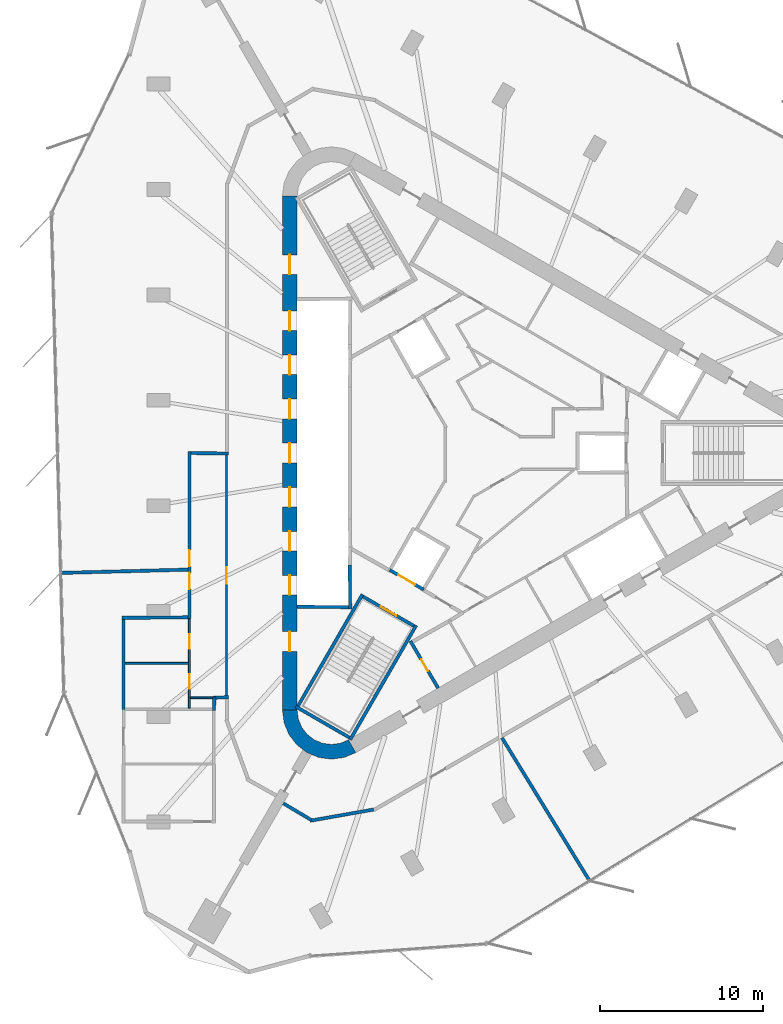
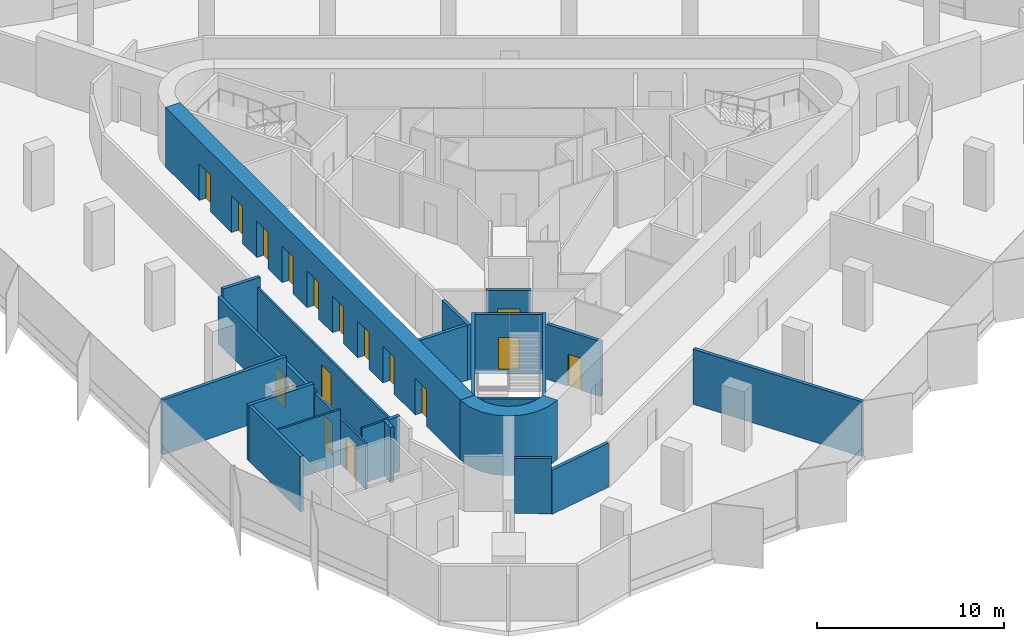
# One storey, part 7 of 12: 24 walls, 17 doors, 17 openings.
"""IFC4 building model written with IfcOpenShell, lengths in metres."""

from ifc_helpers import new_model, si_unit, direction, frame, frame_2d, origin, place, context, subcontext, project, spatial, polyline, rectangle, outline, extrude, material, layer, layer_set, type_object, element, fill, save


model = new_model("IFC4")

# Units and contexts
model_context = context("Model", 3, precision=1e-05, world=origin(), true_north=direction((0.0, 1.0)))
body_context = subcontext(model_context, "Body", "Model", "MODEL_VIEW")
ifc_project = project(units=[si_unit("LENGTHUNIT", "METRE"), si_unit("AREAUNIT", "SQUARE_METRE"), si_unit("VOLUMEUNIT", "CUBIC_METRE"), si_unit("PLANEANGLEUNIT", "RADIAN"), si_unit("MASSUNIT", "GRAM", prefix="KILO")], contexts=[model_context])

# Site, building, storey
site_placement = place(None, origin())
site = spatial("IfcSite", under=ifc_project, at=site_placement, CompositionType="ELEMENT")
building_placement = place(site_placement, origin())
building = spatial("IfcBuilding", under=site, at=building_placement, Name="Tanit Gate Tower", CompositionType="ELEMENT")
storey_placement = place(building_placement, frame((0.0, 0.0, 345.5)))
storey = spatial("IfcBuildingStorey", under=building, at=storey_placement, Name="L78", CompositionType="ELEMENT", Elevation=345.5)

# Wall, openings, doors
ifc_material_1 = material(Name="Concrete C40/50", Category="concrete")
ifc_layer_1 = layer(ifc_material_1, 0.89990234375)
ifc_layer_set_1 = layer_set([ifc_layer_1], Name="CORE WALL 900 C40/50")
wall_type_1 = type_object("IfcWallType", Name="CORE WALL 900 C40/50", PredefinedType="SHEAR", material=ifc_layer_set_1)
wall_1_placement = place(storey_placement, frame((-11.64990234375, 15.76171875, 0.0), z_axis=(0.0, 0.0, 1.0), x_axis=(0.0, -1.0, 0.0)))
wall_1 = element("IfcWall", 1, at=wall_1_placement, inside=storey, type_object=wall_type_1, Name="CORE WALL", PredefinedType="SHEAR", context=body_context, shape_type="SweptSolid", body=[
    extrude(rectangle(XDim=31.5234375, YDim=0.89990234375, at=frame_2d((15.76171875, 0.0))), origin(), (0.0, 0.0, 1.0), 3.89990234375),
])
opening_1_placement = place(wall_1_placement, frame((7.061767578125, 0.0, 0.0)))
opening_1 = element("IfcOpeningElement", 2, at=opening_1_placement, cuts=wall_1, Name="Opening LDHL1-S22", PredefinedType="OPENING", context=body_context, shape_type="SweptSolid", body=[
    extrude(rectangle(XDim=1.199951171875, YDim=2.39990234375, at=frame_2d((0.60009765625, 1.199951171875))), frame((0.0, 0.4599609375, 0.0), z_axis=(0.0, -1.0, 0.0), x_axis=(1.0, 0.0, 0.0)), (0.0, 0.0, 1.0), 0.919921875),
])
opening_2_placement = place(wall_1_placement, frame((9.76171875, 0.0, 0.0)))
opening_2 = element("IfcOpeningElement", 3, at=opening_2_placement, cuts=wall_1, Name="Opening LDHL2-S22", PredefinedType="OPENING", context=body_context, shape_type="SweptSolid", body=[
    extrude(rectangle(XDim=1.199951171875, YDim=2.39990234375, at=frame_2d((0.60009765625, 1.199951171875))), frame((0.0, 0.4599609375, 0.0), z_axis=(0.0, -1.0, 0.0), x_axis=(1.0, 0.0, 0.0)), (0.0, 0.0, 1.0), 0.919921875),
])
opening_3_placement = place(wall_1_placement, frame((12.461669921875, 0.0, 0.0)))
opening_3 = element("IfcOpeningElement", 4, at=opening_3_placement, cuts=wall_1, Name="Opening LDHL3-S22", PredefinedType="OPENING", context=body_context, shape_type="SweptSolid", body=[
    extrude(rectangle(XDim=1.199951171875, YDim=2.39990234375, at=frame_2d((0.60009765625, 1.199951171875))), frame((0.0, 0.4599609375, 0.0), z_axis=(0.0, -1.0, 0.0), x_axis=(1.0, 0.0, 0.0)), (0.0, 0.0, 1.0), 0.919921875),
])
opening_4_placement = place(wall_1_placement, frame((15.16162109375, 0.0, 0.0)))
opening_4 = element("IfcOpeningElement", 5, at=opening_4_placement, cuts=wall_1, Name="Opening LDHL4-S22", PredefinedType="OPENING", context=body_context, shape_type="SweptSolid", body=[
    extrude(rectangle(XDim=1.199951171875, YDim=2.39990234375, at=frame_2d((0.60009765625, 1.199951171875))), frame((0.0, 0.4599609375, 0.0), z_axis=(0.0, -1.0, 0.0), x_axis=(1.0, 0.0, 0.0)), (0.0, 0.0, 1.0), 0.919921875),
])
opening_5_placement = place(wall_1_placement, frame((17.86181640625, 0.0, 0.0)))
opening_5 = element("IfcOpeningElement", 6, at=opening_5_placement, cuts=wall_1, Name="Opening LDHL5-S22", PredefinedType="OPENING", context=body_context, shape_type="SweptSolid", body=[
    extrude(rectangle(XDim=1.199951171875, YDim=2.39990234375, at=frame_2d((0.60009765625, 1.199951171875))), frame((0.0, 0.4599609375, 0.0), z_axis=(0.0, -1.0, 0.0), x_axis=(1.0, 0.0, 0.0)), (0.0, 0.0, 1.0), 0.919921875),
])
opening_6_placement = place(wall_1_placement, frame((20.561767578125, 0.0, 0.0)))
opening_6 = element("IfcOpeningElement", 7, at=opening_6_placement, cuts=wall_1, Name="Opening LDHL6-S22", PredefinedType="OPENING", context=body_context, shape_type="SweptSolid", body=[
    extrude(rectangle(XDim=1.199951171875, YDim=2.39990234375, at=frame_2d((0.60009765625, 1.199951171875))), frame((0.0, 0.4599609375, 0.0), z_axis=(0.0, -1.0, 0.0), x_axis=(1.0, 0.0, 0.0)), (0.0, 0.0, 1.0), 0.919921875),
])
opening_7_placement = place(wall_1_placement, frame((23.26171875, 0.0, 0.0)))
opening_7 = element("IfcOpeningElement", 8, at=opening_7_placement, cuts=wall_1, Name="Opening LDHL7-S22", PredefinedType="OPENING", context=body_context, shape_type="SweptSolid", body=[
    extrude(rectangle(XDim=1.199951171875, YDim=2.39990234375, at=frame_2d((0.60009765625, 1.199951171875))), frame((0.0, 0.4599609375, 0.0), z_axis=(0.0, -1.0, 0.0), x_axis=(1.0, 0.0, 0.0)), (0.0, 0.0, 1.0), 0.919921875),
])
opening_8_placement = place(wall_1_placement, frame((3.61181640625, 0.0, 0.0)))
opening_8 = element("IfcOpeningElement", 9, at=opening_8_placement, cuts=wall_1, Name="Opening F12-S22-FL2", PredefinedType="OPENING", context=body_context, shape_type="SweptSolid", body=[
    extrude(rectangle(XDim=1.199951171875, YDim=2.39990234375, at=frame_2d((0.60009765625, 1.199951171875))), frame((0.0, 0.4599609375, 0.0), z_axis=(0.0, -1.0, 0.0), x_axis=(1.0, 0.0, 0.0)), (0.0, 0.0, 1.0), 0.919921875),
])
opening_9_placement = place(wall_1_placement, frame((26.711669921875, 0.0, 0.0)))
opening_9 = element("IfcOpeningElement", 10, at=opening_9_placement, cuts=wall_1, Name="Opening F12-S22-S3", PredefinedType="OPENING", context=body_context, shape_type="SweptSolid", body=[
    extrude(rectangle(XDim=1.199951171875, YDim=2.39990234375, at=frame_2d((0.60009765625, 1.199951171875))), frame((0.0, 0.4599609375, 0.0), z_axis=(0.0, -1.0, 0.0), x_axis=(1.0, 0.0, 0.0)), (0.0, 0.0, 1.0), 0.919921875),
])
ifc_material_2 = material(Name="Fire-rated steel door leaf", Category="steel")
door_type_1 = type_object("IfcDoorType", Name="INT-DOOR-FIRE-LOBBY-1200", OperationType="NOTDEFINED", PredefinedType="USERDEFINED", material=ifc_material_2)
door_1_placement = place(opening_8_placement, origin())
door_1 = element("IfcDoor", 11, at=door_1_placement, inside=storey, type_object=door_type_1, Name="Door F12-S22-FL2", ObjectType="FIRE DOOR", OperationType="SINGLE_SWING_RIGHT", OverallHeight=2.39990234375, OverallWidth=1.199951171875, PredefinedType="USERDEFINED", context=body_context, shape_type="SweptSolid", body=[
    extrude(rectangle(XDim=1.199951171875, YDim=2.39990234375, at=frame_2d((0.60009765625, 1.199951171875))), frame((0.0, 0.02490234375, 0.0), z_axis=(0.0, -1.0, 0.0), x_axis=(1.0, 0.0, 0.0)), (0.0, 0.0, 1.0), 0.050048828125),
])
fill(opening_8, door_1)
door_2_placement = place(opening_9_placement, origin())
door_2 = element("IfcDoor", 12, at=door_2_placement, inside=storey, type_object=door_type_1, Name="Door F12-S22-S3", ObjectType="FIRE DOOR", OperationType="SINGLE_SWING_RIGHT", OverallHeight=2.39990234375, OverallWidth=1.199951171875, PredefinedType="USERDEFINED", context=body_context, shape_type="SweptSolid", body=[
    extrude(rectangle(XDim=1.199951171875, YDim=2.39990234375, at=frame_2d((0.60009765625, 1.199951171875))), frame((0.0, 0.02490234375, 0.0), z_axis=(0.0, -1.0, 0.0), x_axis=(1.0, 0.0, 0.0)), (0.0, 0.0, 1.0), 0.050048828125),
])
fill(opening_9, door_2)
ifc_material_3 = material(Name="Stainless steel sliding door leaf", Category="steel")
door_type_2 = type_object("IfcDoorType", Name="INT-DOOR-LANDING-1200", OperationType="NOTDEFINED", PredefinedType="USERDEFINED", material=ifc_material_3)
door_3_placement = place(opening_1_placement, origin())
door_3 = element("IfcDoor", 13, at=door_3_placement, inside=storey, type_object=door_type_2, Name="Door LDHL1-S22", ObjectType="LANDING DOOR", OperationType="SLIDING_TO_LEFT", OverallHeight=2.39990234375, OverallWidth=1.199951171875, PredefinedType="USERDEFINED", context=body_context, shape_type="SweptSolid", body=[
    extrude(rectangle(XDim=1.199951171875, YDim=2.39990234375, at=frame_2d((0.60009765625, 1.199951171875))), frame((0.0, 0.02490234375, 0.0), z_axis=(0.0, -1.0, 0.0), x_axis=(1.0, 0.0, 0.0)), (0.0, 0.0, 1.0), 0.050048828125),
])
fill(opening_1, door_3)
door_4_placement = place(opening_2_placement, origin())
door_4 = element("IfcDoor", 14, at=door_4_placement, inside=storey, type_object=door_type_2, Name="Door LDHL2-S22", ObjectType="LANDING DOOR", OperationType="SLIDING_TO_LEFT", OverallHeight=2.39990234375, OverallWidth=1.199951171875, PredefinedType="USERDEFINED", context=body_context, shape_type="SweptSolid", body=[
    extrude(rectangle(XDim=1.199951171875, YDim=2.39990234375, at=frame_2d((0.60009765625, 1.199951171875))), frame((0.0, 0.02490234375, 0.0), z_axis=(0.0, -1.0, 0.0), x_axis=(1.0, 0.0, 0.0)), (0.0, 0.0, 1.0), 0.050048828125),
])
fill(opening_2, door_4)
door_5_placement = place(opening_3_placement, origin())
door_5 = element("IfcDoor", 15, at=door_5_placement, inside=storey, type_object=door_type_2, Name="Door LDHL3-S22", ObjectType="LANDING DOOR", OperationType="SLIDING_TO_LEFT", OverallHeight=2.39990234375, OverallWidth=1.199951171875, PredefinedType="USERDEFINED", context=body_context, shape_type="SweptSolid", body=[
    extrude(rectangle(XDim=1.199951171875, YDim=2.39990234375, at=frame_2d((0.60009765625, 1.199951171875))), frame((0.0, 0.02490234375, 0.0), z_axis=(0.0, -1.0, 0.0), x_axis=(1.0, 0.0, 0.0)), (0.0, 0.0, 1.0), 0.050048828125),
])
fill(opening_3, door_5)
door_6_placement = place(opening_4_placement, origin())
door_6 = element("IfcDoor", 16, at=door_6_placement, inside=storey, type_object=door_type_2, Name="Door LDHL4-S22", ObjectType="LANDING DOOR", OperationType="SLIDING_TO_LEFT", OverallHeight=2.39990234375, OverallWidth=1.199951171875, PredefinedType="USERDEFINED", context=body_context, shape_type="SweptSolid", body=[
    extrude(rectangle(XDim=1.199951171875, YDim=2.39990234375, at=frame_2d((0.60009765625, 1.199951171875))), frame((0.0, 0.02490234375, 0.0), z_axis=(0.0, -1.0, 0.0), x_axis=(1.0, 0.0, 0.0)), (0.0, 0.0, 1.0), 0.050048828125),
])
fill(opening_4, door_6)
door_7_placement = place(opening_5_placement, origin())
door_7 = element("IfcDoor", 17, at=door_7_placement, inside=storey, type_object=door_type_2, Name="Door LDHL5-S22", ObjectType="LANDING DOOR", OperationType="SLIDING_TO_LEFT", OverallHeight=2.39990234375, OverallWidth=1.199951171875, PredefinedType="USERDEFINED", context=body_context, shape_type="SweptSolid", body=[
    extrude(rectangle(XDim=1.199951171875, YDim=2.39990234375, at=frame_2d((0.60009765625, 1.199951171875))), frame((0.0, 0.02490234375, 0.0), z_axis=(0.0, -1.0, 0.0), x_axis=(1.0, 0.0, 0.0)), (0.0, 0.0, 1.0), 0.050048828125),
])
fill(opening_5, door_7)
door_8_placement = place(opening_6_placement, origin())
door_8 = element("IfcDoor", 18, at=door_8_placement, inside=storey, type_object=door_type_2, Name="Door LDHL6-S22", ObjectType="LANDING DOOR", OperationType="SLIDING_TO_LEFT", OverallHeight=2.39990234375, OverallWidth=1.199951171875, PredefinedType="USERDEFINED", context=body_context, shape_type="SweptSolid", body=[
    extrude(rectangle(XDim=1.199951171875, YDim=2.39990234375, at=frame_2d((0.60009765625, 1.199951171875))), frame((0.0, 0.02490234375, 0.0), z_axis=(0.0, -1.0, 0.0), x_axis=(1.0, 0.0, 0.0)), (0.0, 0.0, 1.0), 0.050048828125),
])
fill(opening_6, door_8)
door_9_placement = place(opening_7_placement, origin())
door_9 = element("IfcDoor", 19, at=door_9_placement, inside=storey, type_object=door_type_2, Name="Door LDHL7-S22", ObjectType="LANDING DOOR", OperationType="SLIDING_TO_LEFT", OverallHeight=2.39990234375, OverallWidth=1.199951171875, PredefinedType="USERDEFINED", context=body_context, shape_type="SweptSolid", body=[
    extrude(rectangle(XDim=1.199951171875, YDim=2.39990234375, at=frame_2d((0.60009765625, 1.199951171875))), frame((0.0, 0.02490234375, 0.0), z_axis=(0.0, -1.0, 0.0), x_axis=(1.0, 0.0, 0.0)), (0.0, 0.0, 1.0), 0.050048828125),
])
fill(opening_7, door_9)

# Wall
wall_2_placement = place(storey_placement, origin())
element("IfcWall", 20, at=wall_2_placement, inside=storey, type_object=wall_type_1, Name="CORE WALL CORNER", PredefinedType="SHEAR", context=body_context, shape_type="SweptSolid", body=[
    extrude(outline(polyline([(-12.10009765625, -15.76171875), (-11.997802734375, -16.5380859375), (-11.697998046875, -17.26171875), (-11.22119140625, -17.883056640625), (-10.60009765625, -18.359619140625), (-9.87646484375, -18.659423828125), (-9.10009765625, -18.76171875), (-8.323486328125, -18.659423828125), (-7.60009765625, -18.359619140625), (-8.050048828125, -17.580322265625), (-8.556396484375, -17.7900390625), (-9.10009765625, -17.86181640625), (-9.6435546875, -17.7900390625), (-10.14990234375, -17.580322265625), (-10.5849609375, -17.24658203125), (-10.918701171875, -16.811767578125), (-11.12841796875, -16.30517578125), (-11.199951171875, -15.76171875), (-12.10009765625, -15.76171875)])), origin(), (0.0, 0.0, 1.0), 3.89990234375),
])

# Wall, opening, door
ifc_material_4 = material(Name="Fire-rated gypsum board partition")
ifc_layer_2 = layer(ifc_material_4, 0.199951171875)
ifc_layer_set_2 = layer_set([ifc_layer_2], Name="INT-WALL-COMPARTMENT")
wall_type_2 = type_object("IfcWallType", Name="INT-WALL-COMPARTMENT", PredefinedType="PARTITIONING", material=ifc_layer_set_2)
wall_3_placement = place(storey_placement, frame((-4.259765625, -11.523681640625, 0.0), z_axis=(0.0, 0.0, 1.0), x_axis=(0.507997497166, -0.861358544901, 0.0)))
wall_3 = element("IfcWall", 21, at=wall_3_placement, inside=storey, type_object=wall_type_2, Name="Wall Compartment W053", PredefinedType="PARTITIONING", context=body_context, shape_type="SweptSolid", body=[
    extrude(rectangle(XDim=3.350341796875, YDim=0.199951171875, at=frame_2d((1.67529296875, 0.0))), origin(), (0.0, 0.0, 1.0), 3.60009765625),
])
opening_10_placement = place(wall_3_placement, frame((1.3251953125, 0.0, 0.0)))
opening_10 = element("IfcOpeningElement", 22, at=opening_10_placement, cuts=wall_3, Name="Opening R08-S22-17", PredefinedType="OPENING", context=body_context, shape_type="SweptSolid", body=[
    extrude(rectangle(XDim=0.800048828125, YDim=2.10009765625, at=frame_2d((0.39990234375, 1.050048828125))), frame((0.0, 0.10986328125, 0.0), z_axis=(0.0, -1.0, 0.0), x_axis=(1.0, 0.0, 0.0)), (0.0, 0.0, 1.0), 0.219970703125),
])
ifc_material_5 = material(Name="Timber door leaf", Category="wood")
door_type_3 = type_object("IfcDoorType", Name="INT-DOOR-RISER-800", OperationType="NOTDEFINED", PredefinedType="USERDEFINED", material=ifc_material_5)
door_10_placement = place(opening_10_placement, origin())
door_10 = element("IfcDoor", 23, at=door_10_placement, inside=storey, type_object=door_type_3, Name="Door R08-S22-17", ObjectType="FIRE DOOR", OperationType="SINGLE_SWING_LEFT", OverallHeight=2.10009765625, OverallWidth=0.800048828125, PredefinedType="USERDEFINED", context=body_context, shape_type="SweptSolid", body=[
    extrude(rectangle(XDim=0.800048828125, YDim=2.10009765625, at=frame_2d((0.39990234375, 1.050048828125))), frame((0.0, 0.02490234375, 0.0), z_axis=(0.0, -1.0, 0.0), x_axis=(1.0, 0.0, 0.0)), (0.0, 0.0, 1.0), 0.050048828125),
])
fill(opening_10, door_10)

# Wall, openings, doors
wall_4_placement = place(storey_placement, frame((-17.800048828125, 0.10009765625, 0.0), z_axis=(0.0, 0.0, 1.0), x_axis=(0.0, -1.0, 0.0)))
wall_4 = element("IfcWall", 24, at=wall_4_placement, inside=storey, type_object=wall_type_2, Name="Wall Compartment W094", PredefinedType="PARTITIONING", context=body_context, shape_type="SweptSolid", body=[
    extrude(rectangle(XDim=10.22998046875, YDim=0.199951171875, at=frame_2d((5.114990234375, 0.0))), origin(), (0.0, 0.0, 1.0), 3.070068359375),
])
opening_11_placement = place(wall_4_placement, frame((7.444580078125, 0.0, 0.0)))
opening_11 = element("IfcOpeningElement", 25, at=opening_11_placement, cuts=wall_4, Name="Opening F10-S22-26", PredefinedType="OPENING", context=body_context, shape_type="SweptSolid", body=[
    extrude(rectangle(XDim=1.0, YDim=2.10009765625, at=frame_2d((0.5, 1.050048828125))), frame((0.0, 0.10986328125, 0.0), z_axis=(0.0, -1.0, 0.0), x_axis=(1.0, 0.0, 0.0)), (0.0, 0.0, 1.0), 0.219970703125),
])
opening_12_placement = place(wall_4_placement, frame((6.044677734375, 0.0, 0.0)))
opening_12 = element("IfcOpeningElement", 26, at=opening_12_placement, cuts=wall_4, Name="Opening F10-S22-27", PredefinedType="OPENING", context=body_context, shape_type="SweptSolid", body=[
    extrude(rectangle(XDim=1.0, YDim=2.10009765625, at=frame_2d((0.5, 1.050048828125))), frame((0.0, 0.10986328125, 0.0), z_axis=(0.0, -1.0, 0.0), x_axis=(1.0, 0.0, 0.0)), (0.0, 0.0, 1.0), 0.219970703125),
])
ifc_material_6 = material(Name="Fire-rated steel door leaf", Category="steel")
door_type_4 = type_object("IfcDoorType", Name="INT-DOOR-FIRE-1000", OperationType="NOTDEFINED", PredefinedType="USERDEFINED", material=ifc_material_6)
door_11_placement = place(opening_11_placement, origin())
door_11 = element("IfcDoor", 27, at=door_11_placement, inside=storey, type_object=door_type_4, Name="Door F10-S22-26", ObjectType="FIRE DOOR", OperationType="SINGLE_SWING_RIGHT", OverallHeight=2.10009765625, OverallWidth=1.0, PredefinedType="USERDEFINED", context=body_context, shape_type="SweptSolid", body=[
    extrude(rectangle(XDim=1.0, YDim=2.10009765625, at=frame_2d((0.5, 1.050048828125))), frame((0.0, 0.02490234375, 0.0), z_axis=(0.0, -1.0, 0.0), x_axis=(1.0, 0.0, 0.0)), (0.0, 0.0, 1.0), 0.050048828125),
])
fill(opening_11, door_11)
door_12_placement = place(opening_12_placement, origin())
door_12 = element("IfcDoor", 28, at=door_12_placement, inside=storey, type_object=door_type_4, Name="Door F10-S22-27", ObjectType="FIRE DOOR", OperationType="SINGLE_SWING_RIGHT", OverallHeight=2.10009765625, OverallWidth=1.0, PredefinedType="USERDEFINED", context=body_context, shape_type="SweptSolid", body=[
    extrude(rectangle(XDim=1.0, YDim=2.10009765625, at=frame_2d((0.5, 1.050048828125))), frame((0.0, 0.02490234375, 0.0), z_axis=(0.0, -1.0, 0.0), x_axis=(1.0, 0.0, 0.0)), (0.0, 0.0, 1.0), 0.050048828125),
])
fill(opening_12, door_12)

# Walls
wall_5_placement = place(storey_placement, frame((-16.330078125, -15.0, 0.0), z_axis=(0.0, 0.0, 1.0), x_axis=(0.999344339616, 0.036206227059, 0.0)))
element("IfcWall", 29, at=wall_5_placement, inside=storey, type_object=wall_type_2, Name="Wall Compartment W093", PredefinedType="PARTITIONING", context=body_context, shape_type="SweptSolid", body=[
    extrude(rectangle(XDim=0.930419921875, YDim=0.199951171875, at=frame_2d((0.46533203125, 0.0))), origin(), (0.0, 0.0, 1.0), 3.60009765625),
])
wall_6_placement = place(storey_placement, frame((-15.39990234375, -0.03125, 0.0), z_axis=(0.0, 0.0, 1.0), x_axis=(-0.999914782125, 0.013054826261, 0.0)))
element("IfcWall", 30, at=wall_6_placement, inside=storey, type_object=wall_type_2, Name="Wall Compartment W095", PredefinedType="PARTITIONING", context=body_context, shape_type="SweptSolid", body=[
    extrude(rectangle(XDim=2.30029296875, YDim=0.199951171875, at=frame_2d((1.150146484375, 0.0))), origin(), (0.0, 0.0, 1.0), 3.60009765625),
])
wall_7_placement = place(storey_placement, frame((-10.405517578125, -22.53759765625, 0.0), z_axis=(0.0, 0.0, 1.0), x_axis=(0.98480284819, 0.173675991999, 0.0)))
element("IfcWall", 31, at=wall_7_placement, inside=storey, type_object=wall_type_2, Name="Wall Compartment W115", PredefinedType="PARTITIONING", context=body_context, shape_type="SweptSolid", body=[
    extrude(rectangle(XDim=3.94873046875, YDim=0.199951171875, at=frame_2d((1.974365234375, 0.0))), origin(), (0.0, 0.0, 1.0), 2.8798828125),
])
wall_8_placement = place(storey_placement, frame((-12.05029296875, -21.4716796875, 0.0), z_axis=(0.0, 0.0, 1.0), x_axis=(0.859577966481, -0.511004617924, 0.0)))
element("IfcWall", 32, at=wall_8_placement, inside=storey, type_object=wall_type_2, Name="Wall Compartment W116", PredefinedType="PARTITIONING", context=body_context, shape_type="SweptSolid", body=[
    extrude(rectangle(XDim=1.99755859375, YDim=0.199951171875, at=frame_2d((0.998779296875, 0.0))), origin(), (0.0, 0.0, 1.0), 3.60009765625),
])
wall_9_placement = place(storey_placement, frame((-25.68115234375, -7.348876953125, 0.0), z_axis=(0.0, 0.0, 1.0), x_axis=(0.999664345276, 0.025907465776, 0.0)))
element("IfcWall", 33, at=wall_9_placement, inside=storey, type_object=wall_type_2, Name="Wall Compartment W117", PredefinedType="PARTITIONING", context=body_context, shape_type="SweptSolid", body=[
    extrude(rectangle(XDim=7.783935546875, YDim=0.199951171875, at=frame_2d((3.89208984375, 0.0))), origin(), (0.0, 0.0, 1.0), 3.60009765625),
])
wall_10_placement = place(storey_placement, frame((-17.89990234375, -10.07080078125, 0.0), z_axis=(0.0, 0.0, 1.0), x_axis=(-0.999972376977, -0.007432717088, 0.0)))
element("IfcWall", 34, at=wall_10_placement, inside=storey, type_object=wall_type_2, Name="Wall Compartment W120", PredefinedType="PARTITIONING", context=body_context, shape_type="SweptSolid", body=[
    extrude(rectangle(XDim=4.0400390625, YDim=0.199951171875, at=frame_2d((2.02001953125, 0.0))), origin(), (0.0, 0.0, 1.0), 3.60009765625),
])
wall_11_placement = place(storey_placement, frame((-21.840087890625, -15.704345703125, 0.0), z_axis=(0.0, 0.0, 1.0), x_axis=(0.0, 1.0, 0.0)))
element("IfcWall", 35, at=wall_11_placement, inside=storey, type_object=wall_type_2, Name="Wall Compartment W122", PredefinedType="PARTITIONING", context=body_context, shape_type="SweptSolid", body=[
    extrude(rectangle(XDim=5.50439453125, YDim=0.199951171875, at=frame_2d((2.752197265625, 0.0))), origin(), (0.0, 0.0, 1.0), 3.60009765625),
])
wall_12_placement = place(storey_placement, frame((-16.300048828125, -15.771728515625, 0.0), z_axis=(0.0, 0.0, 1.0), x_axis=(0.039007565522, 0.999238915291, 0.0)))
element("IfcWall", 36, at=wall_12_placement, inside=storey, type_object=wall_type_2, Name="Wall Compartment W123", PredefinedType="PARTITIONING", context=body_context, shape_type="SweptSolid", body=[
    extrude(rectangle(XDim=0.83251953125, YDim=0.199951171875, at=frame_2d((0.416259765625, 0.0))), origin(), (0.0, 0.0, 1.0), 3.60009765625),
])
wall_13_placement = place(storey_placement, frame((6.71875, -26.213134765625, 0.0), z_axis=(0.0, 0.0, 1.0), x_axis=(-0.522271430508, 0.852779310769, 0.0)))
element("IfcWall", 37, at=wall_13_placement, inside=storey, type_object=wall_type_2, Name="Wall Compartment W134", PredefinedType="PARTITIONING", context=body_context, shape_type="SweptSolid", body=[
    extrude(rectangle(XDim=10.263916015625, YDim=0.199951171875, at=frame_2d((5.1318359375, 0.0))), origin(), (0.0, 0.0, 1.0), 3.60009765625),
])

# Wall, opening, door
ifc_material_7 = material(Name="Gypsum board partition")
ifc_layer_3 = layer(ifc_material_7, 0.1201171875)
ifc_layer_set_3 = layer_set([ifc_layer_3], Name="INT-WALL-PARTITION")
wall_type_3 = type_object("IfcWallType", Name="INT-WALL-PARTITION", PredefinedType="PARTITIONING", material=ifc_layer_set_3)
wall_14_placement = place(storey_placement, frame((-15.530029296875, 0.0, 0.0), z_axis=(0.0, 0.0, 1.0), x_axis=(0.0, -1.0, 0.0)))
wall_14 = element("IfcWall", 38, at=wall_14_placement, inside=storey, type_object=wall_type_3, Name="Wall Partition W091", PredefinedType="PARTITIONING", context=body_context, shape_type="SweptSolid", body=[
    extrude(rectangle(XDim=15.0, YDim=0.1201171875, at=frame_2d((7.5, 0.0))), origin(), (0.0, 0.0, 1.0), 2.969970703125),
])
opening_13_placement = place(wall_14_placement, frame((7.0, 0.0, 0.0)))
opening_13 = element("IfcOpeningElement", 39, at=opening_13_placement, cuts=wall_14, Name="Opening D10-S22-21", PredefinedType="OPENING", context=body_context, shape_type="SweptSolid", body=[
    extrude(rectangle(XDim=1.0, YDim=2.10009765625, at=frame_2d((0.5, 1.050048828125))), frame((0.0, 0.070068359375, 0.0), z_axis=(0.0, -1.0, 0.0), x_axis=(1.0, 0.0, 0.0)), (0.0, 0.0, 1.0), 0.14013671875),
])
ifc_material_8 = material(Name="Timber door leaf", Category="wood")
door_type_5 = type_object("IfcDoorType", Name="INT-DOOR-SINGLE-1000", OperationType="NOTDEFINED", PredefinedType="NOTDEFINED", material=ifc_material_8)
door_13_placement = place(opening_13_placement, origin())
door_13 = element("IfcDoor", 40, at=door_13_placement, inside=storey, type_object=door_type_5, Name="Door D10-S22-21", OperationType="SINGLE_SWING_RIGHT", OverallHeight=2.10009765625, OverallWidth=1.0, PredefinedType="NOTDEFINED", context=body_context, shape_type="SweptSolid", body=[
    extrude(rectangle(XDim=1.0, YDim=2.10009765625, at=frame_2d((0.5, 1.050048828125))), frame((0.0, 0.02490234375, 0.0), z_axis=(0.0, -1.0, 0.0), x_axis=(1.0, 0.0, 0.0)), (0.0, 0.0, 1.0), 0.050048828125),
])
fill(opening_13, door_13)

# Wall, openings, doors
wall_15_placement = place(storey_placement, frame((-17.800048828125, -10.169921875, 0.0), z_axis=(0.0, 0.0, 1.0), x_axis=(0.0, -1.0, 0.0)))
wall_15 = element("IfcWall", 41, at=wall_15_placement, inside=storey, type_object=wall_type_3, Name="Wall Partition W096", PredefinedType="PARTITIONING", context=body_context, shape_type="SweptSolid", body=[
    extrude(rectangle(XDim=5.466796875, YDim=0.1201171875, at=frame_2d((2.7333984375, 0.0))), origin(), (0.0, 0.0, 1.0), 2.969970703125),
])
opening_14_placement = place(wall_15_placement, frame((0.940185546875, 0.0, 0.0)))
opening_14 = element("IfcOpeningElement", 42, at=opening_14_placement, cuts=wall_15, Name="Opening D09-S22-22", PredefinedType="OPENING", context=body_context, shape_type="SweptSolid", body=[
    extrude(rectangle(XDim=0.89990234375, YDim=2.10009765625, at=frame_2d((0.449951171875, 1.050048828125))), frame((0.0, 0.070068359375, 0.0), z_axis=(0.0, -1.0, 0.0), x_axis=(1.0, 0.0, 0.0)), (0.0, 0.0, 1.0), 0.14013671875),
])
opening_15_placement = place(wall_15_placement, frame((3.385009765625, 0.0, 0.0)))
opening_15 = element("IfcOpeningElement", 43, at=opening_15_placement, cuts=wall_15, Name="Opening D09-S22-23", PredefinedType="OPENING", context=body_context, shape_type="SweptSolid", body=[
    extrude(rectangle(XDim=0.89990234375, YDim=2.10009765625, at=frame_2d((0.449951171875, 1.050048828125))), frame((0.0, 0.070068359375, 0.0), z_axis=(0.0, -1.0, 0.0), x_axis=(1.0, 0.0, 0.0)), (0.0, 0.0, 1.0), 0.14013671875),
])
ifc_material_9 = material(Name="Timber door leaf", Category="wood")
door_type_6 = type_object("IfcDoorType", Name="INT-DOOR-SINGLE-900", OperationType="NOTDEFINED", PredefinedType="NOTDEFINED", material=ifc_material_9)
door_14_placement = place(opening_14_placement, origin())
door_14 = element("IfcDoor", 44, at=door_14_placement, inside=storey, type_object=door_type_6, Name="Door D09-S22-22", OperationType="SINGLE_SWING_LEFT", OverallHeight=2.10009765625, OverallWidth=0.89990234375, PredefinedType="NOTDEFINED", context=body_context, shape_type="SweptSolid", body=[
    extrude(rectangle(XDim=0.89990234375, YDim=2.10009765625, at=frame_2d((0.449951171875, 1.050048828125))), frame((0.0, 0.02490234375, 0.0), z_axis=(0.0, -1.0, 0.0), x_axis=(1.0, 0.0, 0.0)), (0.0, 0.0, 1.0), 0.050048828125),
])
fill(opening_14, door_14)
door_15_placement = place(opening_15_placement, origin())
door_15 = element("IfcDoor", 45, at=door_15_placement, inside=storey, type_object=door_type_6, Name="Door D09-S22-23", OperationType="SINGLE_SWING_RIGHT", OverallHeight=2.10009765625, OverallWidth=0.89990234375, PredefinedType="NOTDEFINED", context=body_context, shape_type="SweptSolid", body=[
    extrude(rectangle(XDim=0.89990234375, YDim=2.10009765625, at=frame_2d((0.449951171875, 1.050048828125))), frame((0.0, 0.02490234375, 0.0), z_axis=(0.0, -1.0, 0.0), x_axis=(1.0, 0.0, 0.0)), (0.0, 0.0, 1.0), 0.050048828125),
])
fill(opening_15, door_15)

# Walls
wall_16_placement = place(storey_placement, frame((-17.739990234375, -15.0, 0.0), z_axis=(0.0, 0.0, 1.0), x_axis=(1.0, 0.0, 0.0)))
element("IfcWall", 46, at=wall_16_placement, inside=storey, type_object=wall_type_3, Name="Wall Partition W097", PredefinedType="PARTITIONING", context=body_context, shape_type="SweptSolid", body=[
    extrude(rectangle(XDim=1.369873046875, YDim=0.1201171875, at=frame_2d((0.68505859375, 0.0))), origin(), (0.0, 0.0, 1.0), 3.60009765625),
])
wall_17_placement = place(storey_placement, frame((-17.860107421875, -12.89013671875, 0.0), z_axis=(0.0, 0.0, 1.0), x_axis=(-1.0, 0.0, 0.0)))
element("IfcWall", 47, at=wall_17_placement, inside=storey, type_object=wall_type_3, Name="Wall Partition W135", PredefinedType="PARTITIONING", context=body_context, shape_type="SweptSolid", body=[
    extrude(rectangle(XDim=3.8798828125, YDim=0.1201171875, at=frame_2d((1.93994140625, 0.0))), origin(), (0.0, 0.0, 1.0), 3.60009765625),
])
ifc_material_10 = material(Name="Gypsum shaft wall system")
ifc_layer_4 = layer(ifc_material_10, 0.199951171875)
ifc_layer_set_4 = layer_set([ifc_layer_4], Name="INT-WALL-SHAFT")
wall_type_4 = type_object("IfcWallType", Name="INT-WALL-SHAFT", PredefinedType="PLUMBINGWALL", material=ifc_layer_set_4)
wall_18_placement = place(storey_placement, frame((-7.97900390625, -6.85009765625, 0.0), z_axis=(0.0, 0.0, 1.0), x_axis=(0.011121475088, -0.999938154483, 0.0)))
element("IfcWall", 48, at=wall_18_placement, inside=storey, type_object=wall_type_4, Name="Wall Shaft W010", PredefinedType="PLUMBINGWALL", context=body_context, shape_type="SweptSolid", body=[
    extrude(rectangle(XDim=2.7001953125, YDim=0.199951171875, at=frame_2d((1.35009765625, 0.0))), origin(), (0.0, 0.0, 1.0), 3.60009765625),
])
wall_19_placement = place(storey_placement, frame((-8.050048828125, -9.448974609375, 0.0), z_axis=(0.0, 0.0, 1.0), x_axis=(-0.999957467379, 0.009222983926, 0.0)))
element("IfcWall", 49, at=wall_19_placement, inside=storey, type_object=wall_type_4, Name="Wall Shaft W011", PredefinedType="PLUMBINGWALL", context=body_context, shape_type="SweptSolid", body=[
    extrude(rectangle(XDim=3.150146484375, YDim=0.199951171875, at=frame_2d((1.5751953125, 0.0))), origin(), (0.0, 0.0, 1.0), 3.60009765625),
])

# Wall, opening, door
wall_20_placement = place(storey_placement, frame((-3.44580078125, -8.3681640625, 0.0), z_axis=(0.0, 0.0, 1.0), x_axis=(-0.866024647952, 0.500001309137, 0.0)))
wall_20 = element("IfcWall", 50, at=wall_20_placement, inside=storey, type_object=wall_type_4, Name="Wall Shaft W040", PredefinedType="PLUMBINGWALL", context=body_context, shape_type="SweptSolid", body=[
    extrude(rectangle(XDim=2.39990234375, YDim=0.199951171875, at=frame_2d((1.199951171875, 0.0))), origin(), (0.0, 0.0, 1.0), 3.60009765625),
])
opening_16_placement = place(wall_20_placement, frame((0.60009765625, 0.0, 0.0)))
opening_16 = element("IfcOpeningElement", 51, at=opening_16_placement, cuts=wall_20, Name="Opening LDFL3-L78", PredefinedType="OPENING", context=body_context, shape_type="SweptSolid", body=[
    extrude(rectangle(XDim=1.199951171875, YDim=2.39990234375, at=frame_2d((0.60009765625, 1.199951171875))), frame((0.0, 0.10986328125, 0.0), z_axis=(0.0, -1.0, 0.0), x_axis=(1.0, 0.0, 0.0)), (0.0, 0.0, 1.0), 0.219970703125),
])
door_16_placement = place(opening_16_placement, origin())
door_16 = element("IfcDoor", 52, at=door_16_placement, inside=storey, type_object=door_type_2, Name="Door LDFL3-L78", ObjectType="LANDING DOOR", OperationType="SLIDING_TO_LEFT", OverallHeight=2.39990234375, OverallWidth=1.199951171875, PredefinedType="USERDEFINED", context=body_context, shape_type="SweptSolid", body=[
    extrude(rectangle(XDim=1.199951171875, YDim=2.39990234375, at=frame_2d((0.60009765625, 1.199951171875))), frame((0.0, 0.02490234375, 0.0), z_axis=(0.0, -1.0, 0.0), x_axis=(1.0, 0.0, 0.0)), (0.0, 0.0, 1.0), 0.050048828125),
])
fill(opening_16, door_16)

# Walls
ifc_material_11 = material(Name="Concrete C40/50", Category="concrete")
ifc_layer_5 = layer(ifc_material_11, 0.199951171875)
ifc_layer_set_5 = layer_set([ifc_layer_5], Name="INT-WALL-STAIR")
wall_type_5 = type_object("IfcWallType", Name="INT-WALL-STAIR", PredefinedType="SHEAR", material=ifc_layer_set_5)
wall_21_placement = place(storey_placement, frame((-3.904541015625, -10.56298828125, -0.300048828125), z_axis=(0.0, 0.0, 1.0), x_axis=(-0.500012932018, -0.866017937352, 0.0)))
element("IfcWall", 53, at=wall_21_placement, inside=storey, type_object=wall_type_5, Name="Wall Stair W036", PredefinedType="SHEAR", context=body_context, shape_type="SweptSolid", body=[
    extrude(rectangle(XDim=8.099853515625, YDim=0.199951171875, at=frame_2d((4.0498046875, 0.0))), origin(), (0.0, 0.0, 1.0), 3.900146484375),
])
wall_22_placement = place(storey_placement, frame((-11.281982421875, -15.541015625, -0.300048828125), z_axis=(0.0, 0.0, 1.0), x_axis=(0.866000483506, -0.500043160704, 0.0)))
element("IfcWall", 54, at=wall_22_placement, inside=storey, type_object=wall_type_5, Name="Wall Stair W037", PredefinedType="SHEAR", context=body_context, shape_type="SweptSolid", body=[
    extrude(rectangle(XDim=3.800048828125, YDim=0.199951171875, at=frame_2d((1.89990234375, 0.0))), origin(), (0.0, 0.0, 1.0), 3.900146484375),
])
wall_23_placement = place(storey_placement, frame((-7.195556640625, -8.662841796875, -0.300048828125), z_axis=(0.0, 0.0, 1.0), x_axis=(-0.499997992926, -0.866026562566, 0.0)))
element("IfcWall", 55, at=wall_23_placement, inside=storey, type_object=wall_type_5, Name="Wall Stair W038", PredefinedType="SHEAR", context=body_context, shape_type="SweptSolid", body=[
    extrude(rectangle(XDim=7.89990234375, YDim=0.199951171875, at=frame_2d((3.949951171875, 0.0))), origin(), (0.0, 0.0, 1.0), 3.900146484375),
])

# Wall, opening, door
wall_24_placement = place(storey_placement, frame((-4.041259765625, -10.599365234375, -0.300048828125), z_axis=(0.0, 0.0, 1.0), x_axis=(-0.866047807691, 0.499961193289, 0.0)))
wall_24 = element("IfcWall", 56, at=wall_24_placement, inside=storey, type_object=wall_type_5, Name="Wall Stair W039", PredefinedType="SHEAR", context=body_context, shape_type="SweptSolid", body=[
    extrude(rectangle(XDim=3.599853515625, YDim=0.199951171875, at=frame_2d((1.7998046875, 0.0))), origin(), (0.0, 0.0, 1.0), 3.900146484375),
])
opening_17_placement = place(wall_24_placement, frame((1.25, 0.0, 0.300048828125)))
opening_17 = element("IfcOpeningElement", 57, at=opening_17_placement, cuts=wall_24, Name="Opening S11-S22-07", PredefinedType="OPENING", context=body_context, shape_type="SweptSolid", body=[
    extrude(rectangle(XDim=1.10009765625, YDim=2.10009765625, at=frame_2d((0.550048828125, 1.050048828125))), frame((0.0, 0.10986328125, 0.0), z_axis=(0.0, -1.0, 0.0), x_axis=(1.0, 0.0, 0.0)), (0.0, 0.0, 1.0), 0.219970703125),
])
ifc_material_12 = material(Name="Timber door leaf", Category="wood")
door_type_7 = type_object("IfcDoorType", Name="INT-DOOR-STAIR-1100", OperationType="NOTDEFINED", PredefinedType="USERDEFINED", material=ifc_material_12)
door_17_placement = place(opening_17_placement, origin())
door_17 = element("IfcDoor", 58, at=door_17_placement, inside=storey, type_object=door_type_7, Name="Door S11-S22-07", ObjectType="FIRE DOOR", OperationType="SINGLE_SWING_RIGHT", OverallHeight=2.10009765625, OverallWidth=1.10009765625, PredefinedType="USERDEFINED", context=body_context, shape_type="SweptSolid", body=[
    extrude(rectangle(XDim=1.10009765625, YDim=2.10009765625, at=frame_2d((0.550048828125, 1.050048828125))), frame((0.0, 0.02490234375, 0.0), z_axis=(0.0, -1.0, 0.0), x_axis=(1.0, 0.0, 0.0)), (0.0, 0.0, 1.0), 0.050048828125),
])
fill(opening_17, door_17)

save(model, "model.ifc")
